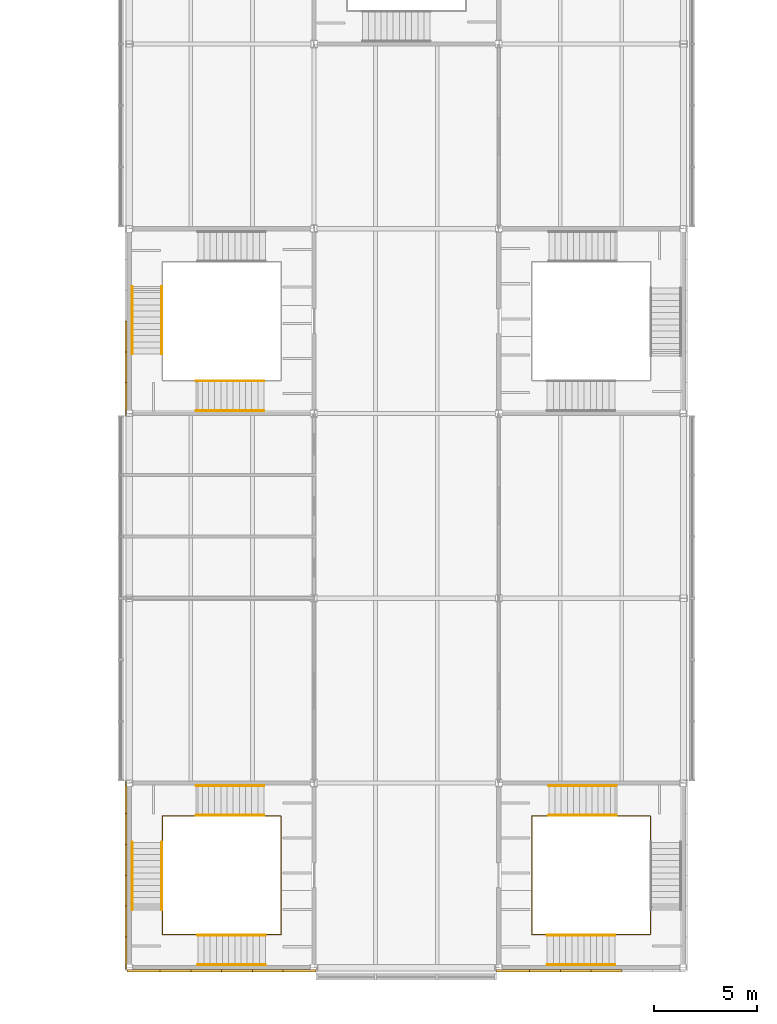
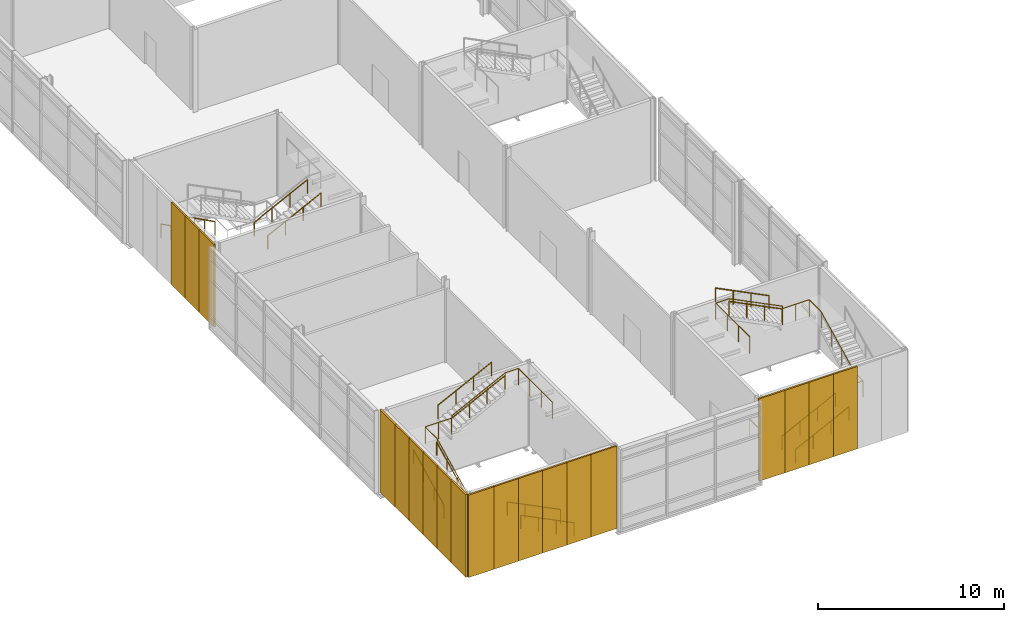
# One storey, part 45 of 53: 19 coverings, 16 railings.
"""IFC4 building model written with IfcOpenShell, lengths in metres."""

from ifc_helpers import new_model, si_unit, direction, frame, origin, origin_2d, place, context, subcontext, project, spatial, rectangle, circle, extrude, material, layer, layer_set, type_object, element, save


model = new_model("IFC4")

# Units and contexts
model_context = context("Model", 3, precision=1e-05, world=origin(), true_north=direction((0.0, 1.0)))
body_context = subcontext(model_context, "Body", "Model", "MODEL_VIEW")
ifc_project = project(units=[si_unit("LENGTHUNIT", "METRE"), si_unit("AREAUNIT", "SQUARE_METRE"), si_unit("VOLUMEUNIT", "CUBIC_METRE"), si_unit("PLANEANGLEUNIT", "RADIAN"), si_unit("MASSUNIT", "GRAM", prefix="KILO")], contexts=[model_context])

# Site, building, storey
site_placement = place(None, origin())
site = spatial("IfcSite", under=ifc_project, at=site_placement, CompositionType="ELEMENT")
building_placement = place(site_placement, origin())
building = spatial("IfcBuilding", under=site, at=building_placement, Name="Azimuth Sports and Learning Centre", CompositionType="ELEMENT")
storey_placement = place(building_placement, frame((0.0, 0.0, 10.800048828125)))
storey = spatial("IfcBuildingStorey", under=building, at=storey_placement, Name="L02", CompositionType="ELEMENT", Elevation=10.800048828125)

# Coverings
ifc_material_1 = material(Name="Cladding panel")
ifc_layer = layer(ifc_material_1, 0.10009765625)
ifc_layer_set = layer_set([ifc_layer], Name="Cladding panel")
covering_type = type_object("IfcCoveringType", Name="Cladding panel 100", PredefinedType="CLADDING", material=ifc_layer_set)
for number, where, z_axis, x_axis, name in (
    (1, (71.85009765625, 30.75, 0.0), (0.0, 0.0, 1.0), (0.0, -1.0, 0.0), "Cladding panel W-ST3 L02 4"),
    (2, (71.85009765625, 29.25, 0.0), (0.0, 0.0, 1.0), (0.0, -1.0, 0.0), "Cladding panel W-ST3 L02 5"),
):
    element("IfcCovering", number, at=place(storey_placement, frame(where, z_axis=z_axis, x_axis=x_axis)), inside=storey, type_object=covering_type, Name=name, PredefinedType="CLADDING", context=body_context, shape_type="SweptSolid", body=[
        extrude(rectangle(XDim=1.5, YDim=0.10009765625, at=origin_2d()), origin(), (0.0, 0.0, 1.0), 5.39990234375),
    ])
for number, where, z_axis, x_axis, name in (
    (3, (71.85009765625, 27.699951171875, 0.0), (0.0, 0.0, 1.0), (0.0, -1.0, 0.0), "Cladding panel W-ST3 L02 6"),
    (4, (71.85009765625, 8.300048828125, 0.0), (0.0, 0.0, 1.0), (0.0, -1.0, 0.0), "Cladding panel W-ST1 L02 1"),
):
    element("IfcCovering", number, at=place(storey_placement, frame(where, z_axis=z_axis, x_axis=x_axis)), inside=storey, type_object=covering_type, Name=name, PredefinedType="CLADDING", context=body_context, shape_type="SweptSolid", body=[
        extrude(rectangle(XDim=1.60009765625, YDim=0.10009765625, at=origin_2d()), origin(), (0.0, 0.0, 1.0), 5.39990234375),
    ])
for number, where, z_axis, x_axis, name in (
    (5, (71.85009765625, 6.75, 0.0), (0.0, 0.0, 1.0), (0.0, -1.0, 0.0), "Cladding panel W-ST1 L02 2"),
    (6, (71.85009765625, 5.25, 0.0), (0.0, 0.0, 1.0), (0.0, -1.0, 0.0), "Cladding panel W-ST1 L02 3"),
    (7, (71.85009765625, 3.75, 0.0), (0.0, 0.0, 1.0), (0.0, -1.0, 0.0), "Cladding panel W-ST1 L02 4"),
    (8, (71.85009765625, 2.25, 0.0), (0.0, 0.0, 1.0), (0.0, -1.0, 0.0), "Cladding panel W-ST1 L02 5"),
):
    element("IfcCovering", number, at=place(storey_placement, frame(where, z_axis=z_axis, x_axis=x_axis)), inside=storey, type_object=covering_type, Name=name, PredefinedType="CLADDING", context=body_context, shape_type="SweptSolid", body=[
        extrude(rectangle(XDim=1.5, YDim=0.10009765625, at=origin_2d()), origin(), (0.0, 0.0, 1.0), 5.39990234375),
    ])
for number, where, z_axis, x_axis, name in (
    (9, (71.85009765625, 0.699951171875, 0.0), (0.0, 0.0, 1.0), (0.0, -1.0, 0.0), "Cladding panel W-ST1 L02 6"),
    (10, (72.699951171875, -0.14990234375, 0.0), (0.0, 0.0, 1.0), (1.0, 0.0, 0.0), "Cladding panel S-ST1 L02 1"),
):
    element("IfcCovering", number, at=place(storey_placement, frame(where, z_axis=z_axis, x_axis=x_axis)), inside=storey, type_object=covering_type, Name=name, PredefinedType="CLADDING", context=body_context, shape_type="SweptSolid", body=[
        extrude(rectangle(XDim=1.60009765625, YDim=0.10009765625, at=origin_2d()), origin(), (0.0, 0.0, 1.0), 5.39990234375),
    ])
for number, where, z_axis, x_axis, name in (
    (11, (74.25, -0.14990234375, 0.0), (0.0, 0.0, 1.0), (1.0, 0.0, 0.0), "Cladding panel S-ST1 L02 2"),
    (12, (75.75, -0.14990234375, 0.0), (0.0, 0.0, 1.0), (1.0, 0.0, 0.0), "Cladding panel S-ST1 L02 3"),
    (13, (77.25, -0.14990234375, 0.0), (0.0, 0.0, 1.0), (1.0, 0.0, 0.0), "Cladding panel S-ST1 L02 4"),
    (14, (78.75, -0.14990234375, 0.0), (0.0, 0.0, 1.0), (1.0, 0.0, 0.0), "Cladding panel S-ST1 L02 5"),
):
    element("IfcCovering", number, at=place(storey_placement, frame(where, z_axis=z_axis, x_axis=x_axis)), inside=storey, type_object=covering_type, Name=name, PredefinedType="CLADDING", context=body_context, shape_type="SweptSolid", body=[
        extrude(rectangle(XDim=1.5, YDim=0.10009765625, at=origin_2d()), origin(), (0.0, 0.0, 1.0), 5.39990234375),
    ])
for number, where, z_axis, x_axis, name in (
    (15, (80.300048828125, -0.14990234375, 0.0), (0.0, 0.0, 1.0), (1.0, 0.0, 0.0), "Cladding panel S-ST1 L02 6"),
    (16, (90.699951171875, -0.14990234375, 0.0), (0.0, 0.0, 1.0), (1.0, 0.0, 0.0), "Cladding panel S-ST2 L02 1"),
):
    element("IfcCovering", number, at=place(storey_placement, frame(where, z_axis=z_axis, x_axis=x_axis)), inside=storey, type_object=covering_type, Name=name, PredefinedType="CLADDING", context=body_context, shape_type="SweptSolid", body=[
        extrude(rectangle(XDim=1.60009765625, YDim=0.10009765625, at=origin_2d()), origin(), (0.0, 0.0, 1.0), 5.39990234375),
    ])
for number, where, z_axis, x_axis, name in (
    (17, (92.25, -0.14990234375, 0.0), (0.0, 0.0, 1.0), (1.0, 0.0, 0.0), "Cladding panel S-ST2 L02 2"),
    (18, (93.75, -0.14990234375, 0.0), (0.0, 0.0, 1.0), (1.0, 0.0, 0.0), "Cladding panel S-ST2 L02 3"),
    (19, (95.25, -0.14990234375, 0.0), (0.0, 0.0, 1.0), (1.0, 0.0, 0.0), "Cladding panel S-ST2 L02 4"),
):
    element("IfcCovering", number, at=place(storey_placement, frame(where, z_axis=z_axis, x_axis=x_axis)), inside=storey, type_object=covering_type, Name=name, PredefinedType="CLADDING", context=body_context, shape_type="SweptSolid", body=[
        extrude(rectangle(XDim=1.5, YDim=0.10009765625, at=origin_2d()), origin(), (0.0, 0.0, 1.0), 5.39990234375),
    ])

# Railings
ifc_material_2 = material(Name="Stainless steel", Category="steel")
railing_type_1 = type_object("IfcRailingType", Name="Stair guard 1100", PredefinedType="GUARDRAIL", material=ifc_material_2)
railing_1_placement = place(storey_placement, frame((79.389892578125, 3.75, 0.0)))
element("IfcRailing", 20, at=railing_1_placement, inside=storey, type_object=railing_type_1, Name="Guard ST1 L02 well", PredefinedType="GUARDRAIL", context=body_context, shape_type="SweptSolid", body=[
    extrude(circle(Radius=0.02392578125, at=origin_2d()), frame((0.0, 0.0, 1.076171875), z_axis=(0.0, -1.0, 0.0), x_axis=(1.0, 0.0, 0.0)), (0.0, 0.0, 1.0), 2.139892578125),
    extrude(circle(Radius=0.02392578125, at=origin_2d()), frame((0.0, -2.139892578125, 1.076171875), z_axis=(-1.0, 0.0, 0.0), x_axis=(0.0, -1.0, 0.0)), (0.0, 0.0, 1.0), 0.75),
    extrude(circle(Radius=0.02392578125, at=origin_2d()), frame((-0.75, -2.139892578125, 1.076171875), z_axis=(0.0, 0.0, 1.0), x_axis=(1.0, 0.0, 0.0)), (0.0, 0.0, 1.0), 0.14990234375),
    extrude(circle(Radius=0.02392578125, at=origin_2d()), frame((-0.75, -2.139892578125, 1.22607421875), z_axis=(-0.894400720042, 0.0, 0.447266533499), x_axis=(0.0, -1.0, 0.0)), (0.0, 0.0, 1.0), 3.689453125),
    extrude(circle(Radius=0.02392578125, at=origin_2d()), frame((-4.0498046875, -2.139892578125, 2.8759765625), z_axis=(-1.0, 0.0, 0.0), x_axis=(0.0, -1.0, 0.0)), (0.0, 0.0, 1.0), 1.72998046875),
    extrude(circle(Radius=0.02392578125, at=origin_2d()), frame((-5.77978515625, -2.139892578125, 2.8759765625), z_axis=(0.0, 1.0, 0.0), x_axis=(-1.0, 0.0, 0.0)), (0.0, 0.0, 1.0), 1.199951171875),
    extrude(circle(Radius=0.02392578125, at=origin_2d()), frame((-5.77978515625, -0.93994140625, 2.8759765625), z_axis=(0.0, 0.0, 1.0), x_axis=(1.0, 0.0, 0.0)), (0.0, 0.0, 1.0), 0.14990234375),
    extrude(circle(Radius=0.02392578125, at=origin_2d()), frame((-5.77978515625, -0.93994140625, 3.02587890625), z_axis=(0.0, 0.894440424912, 0.447187126696), x_axis=(-1.0, 0.0, 0.0)), (0.0, 0.0, 1.0), 3.689453125),
    extrude(circle(Radius=0.02392578125, at=origin_2d()), frame((-5.77978515625, 2.360107421875, 4.67578125), z_axis=(0.0, 1.0, 0.0), x_axis=(-1.0, 0.0, 0.0)), (0.0, 0.0, 1.0), 1.27978515625),
    extrude(circle(Radius=0.02392578125, at=origin_2d()), frame((-5.77978515625, 3.639892578125, 4.67578125), z_axis=(1.0, 0.0, 0.0), x_axis=(0.0, 1.0, 0.0)), (0.0, 0.0, 1.0), 1.64990234375),
    extrude(circle(Radius=0.02392578125, at=origin_2d()), frame((-4.1298828125, 3.639892578125, 4.67578125), z_axis=(0.0, 0.0, 1.0), x_axis=(1.0, 0.0, 0.0)), (0.0, 0.0, 1.0), 0.150146484375),
    extrude(circle(Radius=0.02392578125, at=origin_2d()), frame((-4.1298828125, 3.639892578125, 4.826171875), z_axis=(0.894440424912, 0.0, 0.447187126696), x_axis=(0.0, 1.0, 0.0)), (0.0, 0.0, 1.0), 3.689453125),
    extrude(circle(Radius=0.02392578125, at=origin_2d()), frame((-0.829833984375, 3.639892578125, 6.47607421875), z_axis=(1.0, 0.0, 0.0), x_axis=(0.0, 1.0, 0.0)), (0.0, 0.0, 1.0), 0.829833984375),
    extrude(circle(Radius=0.02392578125, at=origin_2d()), frame((0.0, 3.639892578125, 6.47607421875), z_axis=(0.0, -1.0, 0.0), x_axis=(1.0, 0.0, 0.0)), (0.0, 0.0, 1.0), 3.639892578125),
    extrude(circle(Radius=0.01611328125, at=origin_2d()), origin(), (0.0, 0.0, 1.0), 1.052001953125),
    extrude(circle(Radius=0.01611328125, at=origin_2d()), frame((0.0, -1.06982421875, 0.0)), (0.0, 0.0, 1.0), 1.052001953125),
    extrude(circle(Radius=0.01611328125, at=origin_2d()), frame((0.0, -2.139892578125, 0.0)), (0.0, 0.0, 1.0), 1.052001953125),
    extrude(circle(Radius=0.01611328125, at=origin_2d()), frame((-0.75, -2.139892578125, 0.0)), (0.0, 0.0, 1.0), 1.052001953125),
    extrude(circle(Radius=0.01611328125, at=origin_2d()), frame((-0.75, -2.139892578125, 0.14990234375)), (0.0, 0.0, 1.0), 1.052001953125),
    extrude(circle(Radius=0.01611328125, at=origin_2d()), frame((-1.849853515625, -2.139892578125, 0.699951171875)), (0.0, 0.0, 1.0), 1.052001953125),
    extrude(circle(Radius=0.01611328125, at=origin_2d()), frame((-2.949951171875, -2.139892578125, 1.25)), (0.0, 0.0, 1.0), 1.052001953125),
    extrude(circle(Radius=0.01611328125, at=origin_2d()), frame((-4.0498046875, -2.139892578125, 1.800048828125)), (0.0, 0.0, 1.0), 1.052001953125),
    extrude(circle(Radius=0.01611328125, at=origin_2d()), frame((-4.914794921875, -2.139892578125, 1.800048828125)), (0.0, 0.0, 1.0), 1.052001953125),
    extrude(circle(Radius=0.01611328125, at=origin_2d()), frame((-5.77978515625, -2.139892578125, 1.800048828125)), (0.0, 0.0, 1.0), 1.052001953125),
    extrude(circle(Radius=0.01611328125, at=origin_2d()), frame((-5.77978515625, -0.93994140625, 1.800048828125)), (0.0, 0.0, 1.0), 1.052001953125),
    extrude(circle(Radius=0.01611328125, at=origin_2d()), frame((-5.77978515625, -0.93994140625, 1.949951171875)), (0.0, 0.0, 1.0), 1.052001953125),
    extrude(circle(Radius=0.01611328125, at=origin_2d()), frame((-5.77978515625, 0.16015625, 2.5)), (0.0, 0.0, 1.0), 1.052001953125),
    extrude(circle(Radius=0.01611328125, at=origin_2d()), frame((-5.77978515625, 1.260009765625, 3.0498046875)), (0.0, 0.0, 1.0), 1.052001953125),
    extrude(circle(Radius=0.01611328125, at=origin_2d()), frame((-5.77978515625, 2.360107421875, 3.599853515625)), (0.0, 0.0, 1.0), 1.052001953125),
    extrude(circle(Radius=0.01611328125, at=origin_2d()), frame((-5.77978515625, 3.639892578125, 3.599853515625)), (0.0, 0.0, 1.0), 1.052001953125),
    extrude(circle(Radius=0.01611328125, at=origin_2d()), frame((-4.954833984375, 3.639892578125, 3.599853515625)), (0.0, 0.0, 1.0), 1.052001953125),
    extrude(circle(Radius=0.01611328125, at=origin_2d()), frame((-4.1298828125, 3.639892578125, 3.599853515625)), (0.0, 0.0, 1.0), 1.052001953125),
    extrude(circle(Radius=0.01611328125, at=origin_2d()), frame((-4.1298828125, 3.639892578125, 3.75)), (0.0, 0.0, 1.0), 1.052001953125),
    extrude(circle(Radius=0.01611328125, at=origin_2d()), frame((-3.02978515625, 3.639892578125, 4.300048828125)), (0.0, 0.0, 1.0), 1.052001953125),
    extrude(circle(Radius=0.01611328125, at=origin_2d()), frame((-1.929931640625, 3.639892578125, 4.849853515625)), (0.0, 0.0, 1.0), 1.052001953125),
    extrude(circle(Radius=0.01611328125, at=origin_2d()), frame((-0.829833984375, 3.639892578125, 5.39990234375)), (0.0, 0.0, 1.0), 1.052001953125),
    extrude(circle(Radius=0.01611328125, at=origin_2d()), frame((0.0, 3.639892578125, 5.39990234375)), (0.0, 0.0, 1.0), 1.052001953125),
    extrude(circle(Radius=0.01611328125, at=origin_2d()), frame((0.0, 2.426513671875, 5.39990234375)), (0.0, 0.0, 1.0), 1.052001953125),
    extrude(circle(Radius=0.01611328125, at=origin_2d()), frame((0.0, 1.21337890625, 5.39990234375)), (0.0, 0.0, 1.0), 1.052001953125),
    extrude(circle(Radius=0.01611328125, at=origin_2d()), frame((0.0, 0.0, 5.39990234375)), (0.0, 0.0, 1.0), 1.052001953125),
])
railing_2_placement = place(storey_placement, frame((91.610107421875, 3.75, 0.0)))
element("IfcRailing", 21, at=railing_2_placement, inside=storey, type_object=railing_type_1, Name="Guard ST2 L02 well", PredefinedType="GUARDRAIL", context=body_context, shape_type="SweptSolid", body=[
    extrude(circle(Radius=0.02392578125, at=origin_2d()), frame((0.0, 0.0, 1.076171875), z_axis=(0.0, -1.0, 0.0), x_axis=(1.0, 0.0, 0.0)), (0.0, 0.0, 1.0), 2.139892578125),
    extrude(circle(Radius=0.02392578125, at=origin_2d()), frame((0.0, -2.139892578125, 1.076171875), z_axis=(1.0, 0.0, 0.0), x_axis=(0.0, 1.0, 0.0)), (0.0, 0.0, 1.0), 0.75),
    extrude(circle(Radius=0.02392578125, at=origin_2d()), frame((0.75, -2.139892578125, 1.076171875), z_axis=(0.0, 0.0, 1.0), x_axis=(1.0, 0.0, 0.0)), (0.0, 0.0, 1.0), 0.14990234375),
    extrude(circle(Radius=0.02392578125, at=origin_2d()), frame((0.75, -2.139892578125, 1.22607421875), z_axis=(0.894400720042, 0.0, 0.447266533499), x_axis=(0.0, 1.0, 0.0)), (0.0, 0.0, 1.0), 3.689453125),
    extrude(circle(Radius=0.02392578125, at=origin_2d()), frame((4.0498046875, -2.139892578125, 2.8759765625), z_axis=(1.0, 0.0, 0.0), x_axis=(0.0, 1.0, 0.0)), (0.0, 0.0, 1.0), 1.72998046875),
    extrude(circle(Radius=0.02392578125, at=origin_2d()), frame((5.77978515625, -2.139892578125, 2.8759765625), z_axis=(0.0, 1.0, 0.0), x_axis=(-1.0, 0.0, 0.0)), (0.0, 0.0, 1.0), 1.199951171875),
    extrude(circle(Radius=0.02392578125, at=origin_2d()), frame((5.77978515625, -0.93994140625, 2.8759765625), z_axis=(0.0, 0.0, 1.0), x_axis=(1.0, 0.0, 0.0)), (0.0, 0.0, 1.0), 0.14990234375),
    extrude(circle(Radius=0.02392578125, at=origin_2d()), frame((5.77978515625, -0.93994140625, 3.02587890625), z_axis=(0.0, 0.894440424912, 0.447187126696), x_axis=(-1.0, 0.0, 0.0)), (0.0, 0.0, 1.0), 3.689453125),
    extrude(circle(Radius=0.02392578125, at=origin_2d()), frame((5.77978515625, 2.360107421875, 4.67578125), z_axis=(0.0, 1.0, 0.0), x_axis=(-1.0, 0.0, 0.0)), (0.0, 0.0, 1.0), 1.27978515625),
    extrude(circle(Radius=0.02392578125, at=origin_2d()), frame((5.77978515625, 3.639892578125, 4.67578125), z_axis=(-1.0, 0.0, 0.0), x_axis=(0.0, -1.0, 0.0)), (0.0, 0.0, 1.0), 1.64990234375),
    extrude(circle(Radius=0.02392578125, at=origin_2d()), frame((4.1298828125, 3.639892578125, 4.67578125), z_axis=(0.0, 0.0, 1.0), x_axis=(1.0, 0.0, 0.0)), (0.0, 0.0, 1.0), 0.150146484375),
    extrude(circle(Radius=0.02392578125, at=origin_2d()), frame((4.1298828125, 3.639892578125, 4.826171875), z_axis=(-0.894440424912, 0.0, 0.447187126696), x_axis=(0.0, -1.0, 0.0)), (0.0, 0.0, 1.0), 3.689453125),
    extrude(circle(Radius=0.02392578125, at=origin_2d()), frame((0.829833984375, 3.639892578125, 6.47607421875), z_axis=(-1.0, 0.0, 0.0), x_axis=(0.0, -1.0, 0.0)), (0.0, 0.0, 1.0), 0.829833984375),
    extrude(circle(Radius=0.02392578125, at=origin_2d()), frame((0.0, 3.639892578125, 6.47607421875), z_axis=(0.0, -1.0, 0.0), x_axis=(1.0, 0.0, 0.0)), (0.0, 0.0, 1.0), 3.639892578125),
    extrude(circle(Radius=0.01611328125, at=origin_2d()), origin(), (0.0, 0.0, 1.0), 1.052001953125),
    extrude(circle(Radius=0.01611328125, at=origin_2d()), frame((0.0, -1.06982421875, 0.0)), (0.0, 0.0, 1.0), 1.052001953125),
    extrude(circle(Radius=0.01611328125, at=origin_2d()), frame((0.0, -2.139892578125, 0.0)), (0.0, 0.0, 1.0), 1.052001953125),
    extrude(circle(Radius=0.01611328125, at=origin_2d()), frame((0.75, -2.139892578125, 0.0)), (0.0, 0.0, 1.0), 1.052001953125),
    extrude(circle(Radius=0.01611328125, at=origin_2d()), frame((0.75, -2.139892578125, 0.14990234375)), (0.0, 0.0, 1.0), 1.052001953125),
    extrude(circle(Radius=0.01611328125, at=origin_2d()), frame((1.849853515625, -2.139892578125, 0.699951171875)), (0.0, 0.0, 1.0), 1.052001953125),
    extrude(circle(Radius=0.01611328125, at=origin_2d()), frame((2.949951171875, -2.139892578125, 1.25)), (0.0, 0.0, 1.0), 1.052001953125),
    extrude(circle(Radius=0.01611328125, at=origin_2d()), frame((4.0498046875, -2.139892578125, 1.800048828125)), (0.0, 0.0, 1.0), 1.052001953125),
    extrude(circle(Radius=0.01611328125, at=origin_2d()), frame((4.914794921875, -2.139892578125, 1.800048828125)), (0.0, 0.0, 1.0), 1.052001953125),
    extrude(circle(Radius=0.01611328125, at=origin_2d()), frame((5.77978515625, -2.139892578125, 1.800048828125)), (0.0, 0.0, 1.0), 1.052001953125),
    extrude(circle(Radius=0.01611328125, at=origin_2d()), frame((5.77978515625, -0.93994140625, 1.800048828125)), (0.0, 0.0, 1.0), 1.052001953125),
    extrude(circle(Radius=0.01611328125, at=origin_2d()), frame((5.77978515625, -0.93994140625, 1.949951171875)), (0.0, 0.0, 1.0), 1.052001953125),
    extrude(circle(Radius=0.01611328125, at=origin_2d()), frame((5.77978515625, 0.16015625, 2.5)), (0.0, 0.0, 1.0), 1.052001953125),
    extrude(circle(Radius=0.01611328125, at=origin_2d()), frame((5.77978515625, 1.260009765625, 3.0498046875)), (0.0, 0.0, 1.0), 1.052001953125),
    extrude(circle(Radius=0.01611328125, at=origin_2d()), frame((5.77978515625, 2.360107421875, 3.599853515625)), (0.0, 0.0, 1.0), 1.052001953125),
    extrude(circle(Radius=0.01611328125, at=origin_2d()), frame((5.77978515625, 3.639892578125, 3.599853515625)), (0.0, 0.0, 1.0), 1.052001953125),
    extrude(circle(Radius=0.01611328125, at=origin_2d()), frame((4.954833984375, 3.639892578125, 3.599853515625)), (0.0, 0.0, 1.0), 1.052001953125),
    extrude(circle(Radius=0.01611328125, at=origin_2d()), frame((4.1298828125, 3.639892578125, 3.599853515625)), (0.0, 0.0, 1.0), 1.052001953125),
    extrude(circle(Radius=0.01611328125, at=origin_2d()), frame((4.1298828125, 3.639892578125, 3.75)), (0.0, 0.0, 1.0), 1.052001953125),
    extrude(circle(Radius=0.01611328125, at=origin_2d()), frame((3.02978515625, 3.639892578125, 4.300048828125)), (0.0, 0.0, 1.0), 1.052001953125),
    extrude(circle(Radius=0.01611328125, at=origin_2d()), frame((1.929931640625, 3.639892578125, 4.849853515625)), (0.0, 0.0, 1.0), 1.052001953125),
    extrude(circle(Radius=0.01611328125, at=origin_2d()), frame((0.829833984375, 3.639892578125, 5.39990234375)), (0.0, 0.0, 1.0), 1.052001953125),
    extrude(circle(Radius=0.01611328125, at=origin_2d()), frame((0.0, 3.639892578125, 5.39990234375)), (0.0, 0.0, 1.0), 1.052001953125),
    extrude(circle(Radius=0.01611328125, at=origin_2d()), frame((0.0, 2.426513671875, 5.39990234375)), (0.0, 0.0, 1.0), 1.052001953125),
    extrude(circle(Radius=0.01611328125, at=origin_2d()), frame((0.0, 1.21337890625, 5.39990234375)), (0.0, 0.0, 1.0), 1.052001953125),
    extrude(circle(Radius=0.01611328125, at=origin_2d()), frame((0.0, 0.0, 5.39990234375)), (0.0, 0.0, 1.0), 1.052001953125),
])
ifc_material_3 = material(Name="Stainless steel", Category="steel")
railing_type_2 = type_object("IfcRailingType", Name="Stair handrail 42", PredefinedType="HANDRAIL", material=ifc_material_3)
for number, where, name in (
    (22, (78.639892578125, 1.580078125, 0.14990234375), "Handrail ST1 L02 flight 1 inner"),
    (23, (78.639892578125, 0.139892578125, 0.14990234375), "Handrail ST1 L02 flight 1 outer"),
):
    element("IfcRailing", number, at=place(storey_placement, frame(where)), inside=storey, type_object=railing_type_2, Name=name, PredefinedType="HANDRAIL", context=body_context, shape_type="SweptSolid", body=[
        extrude(circle(Radius=0.02099609375, at=origin_2d()), frame((0.0, 0.0, 0.87890625), z_axis=(-0.894400720042, 0.0, 0.447266533499), x_axis=(0.0, -1.0, 0.0)), (0.0, 0.0, 1.0), 3.689453125),
        extrude(circle(Radius=0.01611328125, at=origin_2d()), origin(), (0.0, 0.0, 1.0), 0.85791015625),
        extrude(circle(Radius=0.01611328125, at=origin_2d()), frame((-1.099853515625, 0.0, 0.550048828125)), (0.0, 0.0, 1.0), 0.85791015625),
        extrude(circle(Radius=0.01611328125, at=origin_2d()), frame((-2.199951171875, 0.0, 1.10009765625)), (0.0, 0.0, 1.0), 0.85791015625),
        extrude(circle(Radius=0.01611328125, at=origin_2d()), frame((-3.2998046875, 0.0, 1.650146484375)), (0.0, 0.0, 1.0), 0.85791015625),
    ])
for number, where, name in (
    (24, (73.580078125, 2.81005859375, 1.949951171875), "Handrail ST1 L02 flight 2 inner"),
    (25, (72.139892578125, 2.81005859375, 1.949951171875), "Handrail ST1 L02 flight 2 outer"),
):
    element("IfcRailing", number, at=place(storey_placement, frame(where)), inside=storey, type_object=railing_type_2, Name=name, PredefinedType="HANDRAIL", context=body_context, shape_type="SweptSolid", body=[
        extrude(circle(Radius=0.02099609375, at=origin_2d()), frame((0.0, 0.0, 0.87890625), z_axis=(0.0, 0.894440424912, 0.447187126696), x_axis=(-1.0, 0.0, 0.0)), (0.0, 0.0, 1.0), 3.689453125),
        extrude(circle(Radius=0.01611328125, at=origin_2d()), origin(), (0.0, 0.0, 1.0), 0.85791015625),
        extrude(circle(Radius=0.01611328125, at=origin_2d()), frame((0.0, 1.10009765625, 0.550048828125)), (0.0, 0.0, 1.0), 0.85791015625),
        extrude(circle(Radius=0.01611328125, at=origin_2d()), frame((0.0, 2.199951171875, 1.099853515625)), (0.0, 0.0, 1.0), 0.85791015625),
        extrude(circle(Radius=0.01611328125, at=origin_2d()), frame((0.0, 3.300048828125, 1.64990234375)), (0.0, 0.0, 1.0), 0.85791015625),
    ])
for number, where, name in (
    (26, (75.260009765625, 7.419921875, 3.75), "Handrail ST1 L02 flight 3 inner"),
    (27, (75.260009765625, 8.860107421875, 3.75), "Handrail ST1 L02 flight 3 outer"),
):
    element("IfcRailing", number, at=place(storey_placement, frame(where)), inside=storey, type_object=railing_type_2, Name=name, PredefinedType="HANDRAIL", context=body_context, shape_type="SweptSolid", body=[
        extrude(circle(Radius=0.02099609375, at=origin_2d()), frame((0.0, 0.0, 0.87890625), z_axis=(0.894440424912, 0.0, 0.447187126696), x_axis=(0.0, 1.0, 0.0)), (0.0, 0.0, 1.0), 3.689453125),
        extrude(circle(Radius=0.01611328125, at=origin_2d()), origin(), (0.0, 0.0, 1.0), 0.85791015625),
        extrude(circle(Radius=0.01611328125, at=origin_2d()), frame((1.10009765625, 0.0, 0.550048828125)), (0.0, 0.0, 1.0), 0.85791015625),
        extrude(circle(Radius=0.01611328125, at=origin_2d()), frame((2.199951171875, 0.0, 1.099853515625)), (0.0, 0.0, 1.0), 0.85791015625),
        extrude(circle(Radius=0.01611328125, at=origin_2d()), frame((3.300048828125, 0.0, 1.64990234375)), (0.0, 0.0, 1.0), 0.85791015625),
    ])
for number, where, name in (
    (28, (92.360107421875, 1.580078125, 0.14990234375), "Handrail ST2 L02 flight 1 inner"),
    (29, (92.360107421875, 0.139892578125, 0.14990234375), "Handrail ST2 L02 flight 1 outer"),
):
    element("IfcRailing", number, at=place(storey_placement, frame(where)), inside=storey, type_object=railing_type_2, Name=name, PredefinedType="HANDRAIL", context=body_context, shape_type="SweptSolid", body=[
        extrude(circle(Radius=0.02099609375, at=origin_2d()), frame((0.0, 0.0, 0.87890625), z_axis=(0.894400720042, 0.0, 0.447266533499), x_axis=(0.0, 1.0, 0.0)), (0.0, 0.0, 1.0), 3.689453125),
        extrude(circle(Radius=0.01611328125, at=origin_2d()), origin(), (0.0, 0.0, 1.0), 0.85791015625),
        extrude(circle(Radius=0.01611328125, at=origin_2d()), frame((1.099853515625, 0.0, 0.550048828125)), (0.0, 0.0, 1.0), 0.85791015625),
        extrude(circle(Radius=0.01611328125, at=origin_2d()), frame((2.199951171875, 0.0, 1.10009765625)), (0.0, 0.0, 1.0), 0.85791015625),
        extrude(circle(Radius=0.01611328125, at=origin_2d()), frame((3.2998046875, 0.0, 1.650146484375)), (0.0, 0.0, 1.0), 0.85791015625),
    ])
for number, where, name in (
    (30, (95.739990234375, 7.419921875, 3.75), "Handrail ST2 L02 flight 3 inner"),
    (31, (95.739990234375, 8.860107421875, 3.75), "Handrail ST2 L02 flight 3 outer"),
):
    element("IfcRailing", number, at=place(storey_placement, frame(where)), inside=storey, type_object=railing_type_2, Name=name, PredefinedType="HANDRAIL", context=body_context, shape_type="SweptSolid", body=[
        extrude(circle(Radius=0.02099609375, at=origin_2d()), frame((0.0, 0.0, 0.87890625), z_axis=(-0.894440424912, 0.0, 0.447187126696), x_axis=(0.0, -1.0, 0.0)), (0.0, 0.0, 1.0), 3.689453125),
        extrude(circle(Radius=0.01611328125, at=origin_2d()), origin(), (0.0, 0.0, 1.0), 0.85791015625),
        extrude(circle(Radius=0.01611328125, at=origin_2d()), frame((-1.10009765625, 0.0, 0.550048828125)), (0.0, 0.0, 1.0), 0.85791015625),
        extrude(circle(Radius=0.01611328125, at=origin_2d()), frame((-2.199951171875, 0.0, 1.099853515625)), (0.0, 0.0, 1.0), 0.85791015625),
        extrude(circle(Radius=0.01611328125, at=origin_2d()), frame((-3.300048828125, 0.0, 1.64990234375)), (0.0, 0.0, 1.0), 0.85791015625),
    ])
for number, where, name in (
    (32, (73.580078125, 33.18994140625, 1.949951171875), "Handrail ST3 L02 flight 2 inner"),
    (33, (72.139892578125, 33.18994140625, 1.949951171875), "Handrail ST3 L02 flight 2 outer"),
):
    element("IfcRailing", number, at=place(storey_placement, frame(where)), inside=storey, type_object=railing_type_2, Name=name, PredefinedType="HANDRAIL", context=body_context, shape_type="SweptSolid", body=[
        extrude(circle(Radius=0.02099609375, at=origin_2d()), frame((0.0, 0.0, 0.87890625), z_axis=(0.0, -0.894440424912, 0.447187126696), x_axis=(1.0, 0.0, 0.0)), (0.0, 0.0, 1.0), 3.689453125),
        extrude(circle(Radius=0.01611328125, at=origin_2d()), origin(), (0.0, 0.0, 1.0), 0.85791015625),
        extrude(circle(Radius=0.01611328125, at=origin_2d()), frame((0.0, -1.10009765625, 0.550048828125)), (0.0, 0.0, 1.0), 0.85791015625),
        extrude(circle(Radius=0.01611328125, at=origin_2d()), frame((0.0, -2.199951171875, 1.099853515625)), (0.0, 0.0, 1.0), 0.85791015625),
        extrude(circle(Radius=0.01611328125, at=origin_2d()), frame((0.0, -3.300048828125, 1.64990234375)), (0.0, 0.0, 1.0), 0.85791015625),
    ])
for number, where, name in (
    (34, (75.260009765625, 28.580078125, 3.75), "Handrail ST3 L02 flight 3 inner"),
    (35, (75.260009765625, 27.139892578125, 3.75), "Handrail ST3 L02 flight 3 outer"),
):
    element("IfcRailing", number, at=place(storey_placement, frame(where)), inside=storey, type_object=railing_type_2, Name=name, PredefinedType="HANDRAIL", context=body_context, shape_type="SweptSolid", body=[
        extrude(circle(Radius=0.02099609375, at=origin_2d()), frame((0.0, 0.0, 0.87890625), z_axis=(0.894440424912, 0.0, 0.447187126696), x_axis=(0.0, 1.0, 0.0)), (0.0, 0.0, 1.0), 3.689453125),
        extrude(circle(Radius=0.01611328125, at=origin_2d()), origin(), (0.0, 0.0, 1.0), 0.85791015625),
        extrude(circle(Radius=0.01611328125, at=origin_2d()), frame((1.10009765625, 0.0, 0.550048828125)), (0.0, 0.0, 1.0), 0.85791015625),
        extrude(circle(Radius=0.01611328125, at=origin_2d()), frame((2.199951171875, 0.0, 1.099853515625)), (0.0, 0.0, 1.0), 0.85791015625),
        extrude(circle(Radius=0.01611328125, at=origin_2d()), frame((3.300048828125, 0.0, 1.64990234375)), (0.0, 0.0, 1.0), 0.85791015625),
    ])

save(model, "model.ifc")
